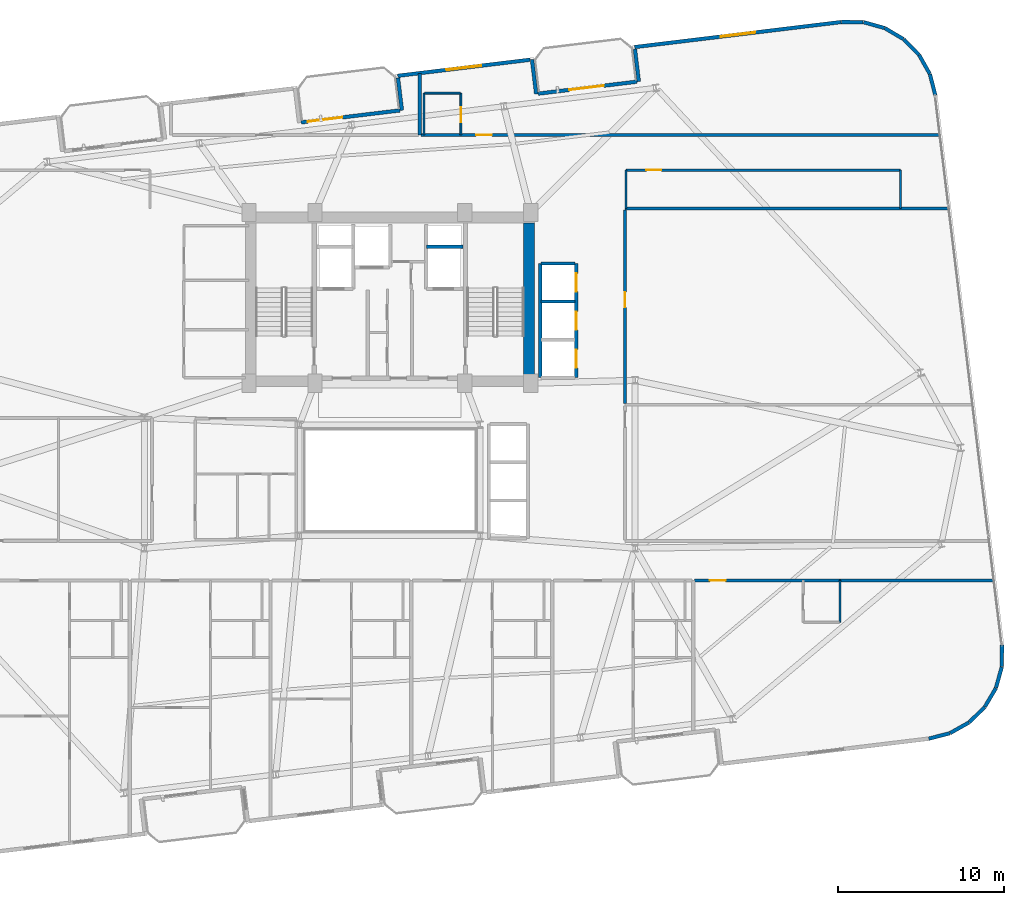
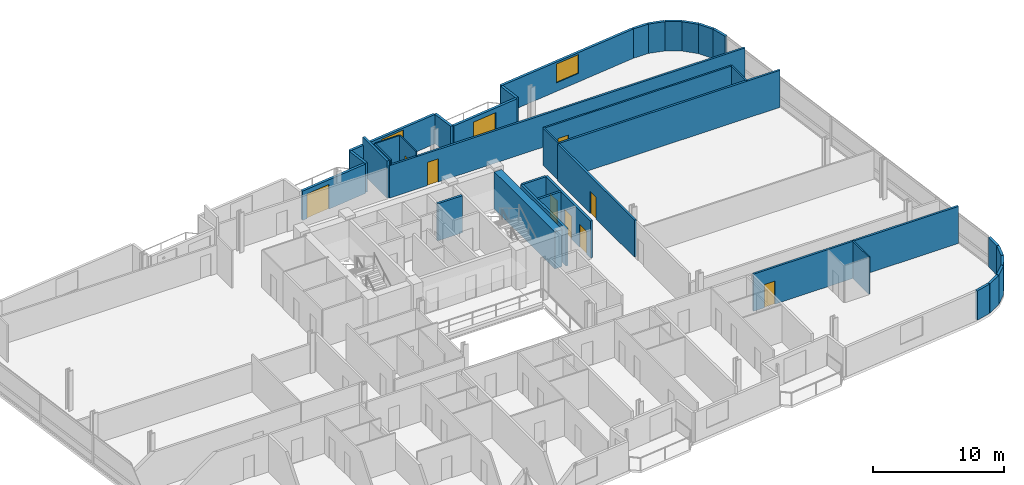
# One storey, part 18 of 23: 37 walls, 10 doors, 2 windows, 12 openings.
"""IFC4 building model written with IfcOpenShell, lengths in metres."""

from ifc_helpers import new_model, si_unit, direction, frame, frame_2d, origin, place, context, subcontext, project, spatial, rectangle, extrude, material, layer, layer_set, type_object, element, fill, save


model = new_model("IFC4")

# Units and contexts
model_context = context("Model", 3, precision=1e-05, world=origin(), true_north=direction((0.0, 1.0)))
body_context = subcontext(model_context, "Body", "Model", "MODEL_VIEW")
ifc_project = project(units=[si_unit("LENGTHUNIT", "METRE"), si_unit("AREAUNIT", "SQUARE_METRE"), si_unit("VOLUMEUNIT", "CUBIC_METRE"), si_unit("PLANEANGLEUNIT", "RADIAN"), si_unit("MASSUNIT", "GRAM", prefix="KILO")], contexts=[model_context])

# Site, building, storey
site_placement = place(None, origin())
site = spatial("IfcSite", under=ifc_project, at=site_placement, CompositionType="ELEMENT")
building_placement = place(site_placement, origin())
building = spatial("IfcBuilding", under=site, at=building_placement, Name="Varnelok Gate Tower", CompositionType="ELEMENT")
storey_placement = place(building_placement, frame((0.0, 0.0, 193.10009765625)))
storey = spatial("IfcBuildingStorey", under=building, at=storey_placement, Name="L49", CompositionType="ELEMENT", Elevation=193.10009765625)

# Wall, opening, door
ifc_material_1 = material(Name="Concrete C45/55", Category="concrete")
ifc_layer_1 = layer(ifc_material_1, 0.219970703125)
ifc_layer_set_1 = layer_set([ifc_layer_1], Name="Concrete C45/55")
wall_type_1 = type_object("IfcWallType", Name="EW-BALC-220", PredefinedType="SOLIDWALL", material=ifc_layer_set_1)
wall_1_placement = place(storey_placement, frame((33.852294921875, 44.48583984375, 0.0), z_axis=(0.0, 0.0, 1.0), x_axis=(0.992729951822, 0.120362962556, 0.0)))
wall_1 = element("IfcWall", 1, at=wall_1_placement, inside=storey, type_object=wall_type_1, Name="L49 North Terrace Envelope Wall 5", PredefinedType="SOLIDWALL", context=body_context, shape_type="SweptSolid", body=[
    extrude(rectangle(XDim=6.0, YDim=0.219970703125, at=frame_2d((3.0, 0.0))), origin(), (0.0, 0.0, 1.0), 2.72998046875),
])
opening_1_placement = place(wall_1_placement, frame((0.39990234375, 0.0, 0.0)))
opening_1 = element("IfcOpeningElement", 2, at=opening_1_placement, cuts=wall_1, Name="Opening BD-2", PredefinedType="OPENING", context=body_context, shape_type="SweptSolid", body=[
    extrude(rectangle(XDim=2.10009765625, YDim=2.300048828125, at=frame_2d((1.050048828125, 1.14990234375))), frame((0.0, 0.119873046875, 0.0), z_axis=(0.0, -1.0, 0.0), x_axis=(1.0, 0.0, 0.0)), (0.0, 0.0, 1.0), 0.239990234375),
])
ifc_material_2 = material(Name="Anodized Aluminum Alloy 6063-T6", Category="aluminium")
door_type_1 = type_object("IfcDoorType", Name="DR-EXT-SLID2100", OperationType="SLIDING_TO_LEFT", PredefinedType="DOOR", material=ifc_material_2)
door_1_placement = place(opening_1_placement, origin())
door_1 = element("IfcDoor", 3, at=door_1_placement, inside=storey, type_object=door_type_1, Name="L49 North Balcony Glazed Door 5", OperationType="SLIDING_TO_LEFT", OverallHeight=2.300048828125, OverallWidth=2.10009765625, PredefinedType="DOOR", context=body_context, shape_type="SweptSolid", body=[
    extrude(rectangle(XDim=2.10009765625, YDim=2.300048828125, at=frame_2d((1.050048828125, 1.14990234375))), frame((0.0, 0.02490234375, 0.0), z_axis=(0.0, -1.0, 0.0), x_axis=(1.0, 0.0, 0.0)), (0.0, 0.0, 1.0), 0.050048828125),
])
fill(opening_1, door_1)

wall_2_placement = place(storey_placement, frame((48.147705078125, 46.21875, 0.0), z_axis=(0.0, 0.0, 1.0), x_axis=(0.992729951822, 0.120362962556, 0.0)))
wall_2 = element("IfcWall", 4, at=wall_2_placement, inside=storey, type_object=wall_type_1, Name="L49 North Terrace Envelope Wall 6", PredefinedType="SOLIDWALL", context=body_context, shape_type="SweptSolid", body=[
    extrude(rectangle(XDim=6.0, YDim=0.219970703125, at=frame_2d((3.0, 0.0))), origin(), (0.0, 0.0, 1.0), 2.72998046875),
])
opening_2_placement = place(wall_2_placement, frame((1.887939453125, 0.0, 0.0)))
opening_2 = element("IfcOpeningElement", 5, at=opening_2_placement, cuts=wall_2, Name="Opening BD-2", PredefinedType="OPENING", context=body_context, shape_type="SweptSolid", body=[
    extrude(rectangle(XDim=2.10009765625, YDim=2.300048828125, at=frame_2d((1.050048828125, 1.14990234375))), frame((0.0, 0.119873046875, 0.0), z_axis=(0.0, -1.0, 0.0), x_axis=(1.0, 0.0, 0.0)), (0.0, 0.0, 1.0), 0.239990234375),
])
door_2_placement = place(opening_2_placement, origin())
door_2 = element("IfcDoor", 6, at=door_2_placement, inside=storey, type_object=door_type_1, Name="L49 North Balcony Glazed Door 6", OperationType="SLIDING_TO_LEFT", OverallHeight=2.300048828125, OverallWidth=2.10009765625, PredefinedType="DOOR", context=body_context, shape_type="SweptSolid", body=[
    extrude(rectangle(XDim=2.10009765625, YDim=2.300048828125, at=frame_2d((1.050048828125, 1.14990234375))), frame((0.0, 0.02490234375, 0.0), z_axis=(0.0, -1.0, 0.0), x_axis=(1.0, 0.0, 0.0)), (0.0, 0.0, 1.0), 0.050048828125),
])
fill(opening_2, door_2)

# Walls
wall_3_placement = place(storey_placement, frame((71.71875, 7.305908203125, 0.0), z_axis=(0.0, 0.0, 1.0), x_axis=(0.968541764193, 0.248851061909, 0.0)))
element("IfcWall", 7, at=wall_3_placement, inside=storey, type_object=wall_type_1, Name="L49 Perimeter Facade Closure Wall 17", PredefinedType="SOLIDWALL", context=body_context, shape_type="SweptSolid", body=[
    extrude(rectangle(XDim=1.308837890625, YDim=0.219970703125, at=frame_2d((0.654296875, 0.0))), origin(), (0.0, 0.0, 1.0), 2.72998046875),
])
for number, where, z_axis, x_axis, name in (
    (8, (73.00830078125, 7.64404296875, 0.0), (0.0, 0.0, 1.0), (0.87105877335, 0.491178799797, 0.0), "L49 Perimeter Facade Closure Wall 18"),
    (9, (74.1591796875, 8.30029296875, 0.0), (0.0, 0.0, 1.0), (0.714295394827, 0.699844331926, 0.0), "L49 Perimeter Facade Closure Wall 19"),
    (10, (75.101318359375, 9.232177734375, 0.0), (0.0, 0.0, 1.0), (0.508798863936, 0.860885425627, 0.0), "L49 Perimeter Facade Closure Wall 20"),
    (11, (75.77001953125, 10.376220703125, 0.0), (0.0, 0.0, 1.0), (0.26859243053, 0.963253915778, 0.0), "L49 Perimeter Facade Closure Wall 21"),
):
    element("IfcWall", number, at=place(storey_placement, frame(where, z_axis=z_axis, x_axis=x_axis)), inside=storey, type_object=wall_type_1, Name=name, PredefinedType="SOLIDWALL", context=body_context, shape_type="SweptSolid", body=[
        extrude(rectangle(XDim=1.30078125, YDim=0.219970703125, at=frame_2d((0.650390625, 0.0))), origin(), (0.0, 0.0, 1.0), 2.72998046875),
    ])
wall_4_placement = place(storey_placement, frame((76.11962890625, 11.654052734375, 0.0), z_axis=(0.0, 0.0, 1.0), x_axis=(0.01032033607, 0.999946743914, 0.0)))
element("IfcWall", 12, at=wall_4_placement, inside=storey, type_object=wall_type_1, Name="L49 Perimeter Facade Closure Wall 22", PredefinedType="SOLIDWALL", context=body_context, shape_type="SweptSolid", body=[
    extrude(rectangle(XDim=1.301025390625, YDim=0.219970703125, at=frame_2d((0.650390625, 0.0))), origin(), (0.0, 0.0, 1.0), 2.72998046875),
])
wall_5_placement = place(storey_placement, frame((72.113525390625, 46.1123046875, 0.0), z_axis=(0.0, 0.0, 1.0), x_axis=(-0.248942347653, 0.968518305219, 0.0)))
element("IfcWall", 13, at=wall_5_placement, inside=storey, type_object=wall_type_1, Name="L49 Perimeter Facade Closure Wall 23", PredefinedType="SOLIDWALL", context=body_context, shape_type="SweptSolid", body=[
    extrude(rectangle(XDim=1.325927734375, YDim=0.219970703125, at=frame_2d((0.6630859375, 0.0))), origin(), (0.0, 0.0, 1.0), 2.72998046875),
])
wall_6_placement = place(storey_placement, frame((71.771240234375, 47.418212890625, 0.0), z_axis=(0.0, 0.0, 1.0), x_axis=(-0.491098509465, 0.871104043155, 0.0)))
element("IfcWall", 14, at=wall_6_placement, inside=storey, type_object=wall_type_1, Name="L49 Perimeter Facade Closure Wall 24", PredefinedType="SOLIDWALL", context=body_context, shape_type="SweptSolid", body=[
    extrude(rectangle(XDim=1.301025390625, YDim=0.219970703125, at=frame_2d((0.650390625, 0.0))), origin(), (0.0, 0.0, 1.0), 2.72998046875),
])
wall_7_placement = place(storey_placement, frame((71.114990234375, 48.5693359375, 0.0), z_axis=(0.0, 0.0, 1.0), x_axis=(-0.699844331926, 0.714295394827, 0.0)))
element("IfcWall", 15, at=wall_7_placement, inside=storey, type_object=wall_type_1, Name="L49 Perimeter Facade Closure Wall 25", PredefinedType="SOLIDWALL", context=body_context, shape_type="SweptSolid", body=[
    extrude(rectangle(XDim=1.30078125, YDim=0.219970703125, at=frame_2d((0.650390625, 0.0))), origin(), (0.0, 0.0, 1.0), 2.72998046875),
])
wall_8_placement = place(storey_placement, frame((70.18310546875, 49.51123046875, 0.0), z_axis=(0.0, 0.0, 1.0), x_axis=(-0.860933999601, 0.508716668029, 0.0)))
element("IfcWall", 16, at=wall_8_placement, inside=storey, type_object=wall_type_1, Name="L49 Perimeter Facade Closure Wall 26", PredefinedType="SOLIDWALL", context=body_context, shape_type="SweptSolid", body=[
    extrude(rectangle(XDim=1.301025390625, YDim=0.219970703125, at=frame_2d((0.650390625, 0.0))), origin(), (0.0, 0.0, 1.0), 2.72998046875),
])
wall_9_placement = place(storey_placement, frame((69.0390625, 50.179931640625, 0.0), z_axis=(0.0, 0.0, 1.0), x_axis=(-0.963205341366, 0.26876657226, 0.0)))
element("IfcWall", 17, at=wall_9_placement, inside=storey, type_object=wall_type_1, Name="L49 Perimeter Facade Closure Wall 27", PredefinedType="SOLIDWALL", context=body_context, shape_type="SweptSolid", body=[
    extrude(rectangle(XDim=1.30078125, YDim=0.219970703125, at=frame_2d((0.650390625, 0.0))), origin(), (0.0, 0.0, 1.0), 2.72998046875),
])
wall_10_placement = place(storey_placement, frame((67.760986328125, 50.52978515625, 0.0), z_axis=(0.0, 0.0, 1.0), x_axis=(-0.999947358106, 0.010260653861, 0.0)))
element("IfcWall", 18, at=wall_10_placement, inside=storey, type_object=wall_type_1, Name="L49 Perimeter Facade Closure Wall 28", PredefinedType="SOLIDWALL", context=body_context, shape_type="SweptSolid", body=[
    extrude(rectangle(XDim=1.30859375, YDim=0.219970703125, at=frame_2d((0.654296875, 0.0))), origin(), (0.0, 0.0, 1.0), 2.72998046875),
])

# Wall, opening, window
wall_11_placement = place(storey_placement, frame((66.427490234375, 50.5400390625, 0.0), z_axis=(0.0, 0.0, 1.0), x_axis=(-0.992731739233, -0.120348219431, 0.0)))
wall_11 = element("IfcWall", 19, at=wall_11_placement, inside=storey, type_object=wall_type_1, Name="L49 Perimeter Facade Closure Wall 29", PredefinedType="SOLIDWALL", context=body_context, shape_type="SweptSolid", body=[
    extrude(rectangle(XDim=12.547119140625, YDim=0.219970703125, at=frame_2d((6.2734375, 0.0))), origin(), (0.0, 0.0, 1.0), 2.72998046875),
])
opening_3_placement = place(wall_11_placement, frame((5.2236328125, 0.0, 0.800048828125)))
opening_3 = element("IfcOpeningElement", 20, at=opening_3_placement, cuts=wall_11, Name="Opening WN4", PredefinedType="OPENING", context=body_context, shape_type="SweptSolid", body=[
    extrude(rectangle(XDim=2.10009765625, YDim=1.75, at=frame_2d((1.050048828125, 0.875))), frame((0.0, 0.119873046875, 0.0), z_axis=(0.0, -1.0, 0.0), x_axis=(1.0, 0.0, 0.0)), (0.0, 0.0, 1.0), 0.239990234375),
])
ifc_material_3 = material(Name="Low-E Laminated Double Glazing IGU", Category="glass")
window_type = type_object("IfcWindowType", Name="WN-SUI-2100", PartitioningType="SINGLE_PANEL", PredefinedType="WINDOW", material=ifc_material_3)
window_1_placement = place(opening_3_placement, origin())
window_1 = element("IfcWindow", 21, at=window_1_placement, inside=storey, type_object=window_type, Name="L49 Perimeter Vision Window 29", OverallHeight=1.75, OverallWidth=2.10009765625, PartitioningType="SINGLE_PANEL", PredefinedType="WINDOW", context=body_context, shape_type="SweptSolid", body=[
    extrude(rectangle(XDim=2.10009765625, YDim=1.75, at=frame_2d((1.050048828125, 0.875))), frame((0.0, 0.030029296875, 0.0), z_axis=(0.0, -1.0, 0.0), x_axis=(1.0, 0.0, 0.0)), (0.0, 0.0, 1.0), 0.06005859375),
])
fill(opening_3, window_1)

# Walls
wall_12_placement = place(storey_placement, frame((53.986572265625, 48.906005859375, 0.0), z_axis=(0.0, 0.0, 1.0), x_axis=(0.120397815541, -0.992725725472, 0.0)))
element("IfcWall", 22, at=wall_12_placement, inside=storey, type_object=wall_type_1, Name="L49 Perimeter Facade Closure Wall 30", PredefinedType="SOLIDWALL", context=body_context, shape_type="SweptSolid", body=[
    extrude(rectangle(XDim=1.97509765625, YDim=0.219970703125, at=frame_2d((0.987548828125, 0.0))), origin(), (0.0, 0.0, 1.0), 2.72998046875),
])
wall_13_placement = place(storey_placement, frame((48.029541015625, 46.1943359375, 0.0), z_axis=(0.0, 0.0, 1.0), x_axis=(-0.120314009587, 0.992735885871, 0.0)))
element("IfcWall", 23, at=wall_13_placement, inside=storey, type_object=wall_type_1, Name="L49 Perimeter Facade Closure Wall 31", PredefinedType="SOLIDWALL", context=body_context, shape_type="SweptSolid", body=[
    extrude(rectangle(XDim=2.10009765625, YDim=0.219970703125, at=frame_2d((1.050048828125, 0.0))), origin(), (0.0, 0.0, 1.0), 2.72998046875),
])

# Wall, opening, window
wall_14_placement = place(storey_placement, frame((47.65283203125, 48.26416015625, 0.0), z_axis=(0.0, 0.0, 1.0), x_axis=(-0.992731032022, -0.120354052946, 0.0)))
wall_14 = element("IfcWall", 24, at=wall_14_placement, inside=storey, type_object=wall_type_1, Name="L49 Perimeter Facade Closure Wall 32", PredefinedType="SOLIDWALL", context=body_context, shape_type="SweptSolid", body=[
    extrude(rectangle(XDim=8.034912109375, YDim=0.219970703125, at=frame_2d((4.017578125, 0.0))), origin(), (0.0, 0.0, 1.0), 2.72998046875),
])
opening_4_placement = place(wall_14_placement, frame((2.967529296875, 0.0, 0.800048828125)))
opening_4 = element("IfcOpeningElement", 25, at=opening_4_placement, cuts=wall_14, Name="Opening WN4", PredefinedType="OPENING", context=body_context, shape_type="SweptSolid", body=[
    extrude(rectangle(XDim=2.10009765625, YDim=1.75, at=frame_2d((1.050048828125, 0.875))), frame((0.0, 0.119873046875, 0.0), z_axis=(0.0, -1.0, 0.0), x_axis=(1.0, 0.0, 0.0)), (0.0, 0.0, 1.0), 0.239990234375),
])
window_2_placement = place(opening_4_placement, origin())
window_2 = element("IfcWindow", 26, at=window_2_placement, inside=storey, type_object=window_type, Name="L49 Perimeter Vision Window 32", OverallHeight=1.75, OverallWidth=2.10009765625, PartitioningType="SINGLE_PANEL", PredefinedType="WINDOW", context=body_context, shape_type="SweptSolid", body=[
    extrude(rectangle(XDim=2.10009765625, YDim=1.75, at=frame_2d((1.050048828125, 0.875))), frame((0.0, 0.030029296875, 0.0), z_axis=(0.0, -1.0, 0.0), x_axis=(1.0, 0.0, 0.0)), (0.0, 0.0, 1.0), 0.06005859375),
])
fill(opening_4, window_2)

# Wall
wall_15_placement = place(storey_placement, frame((39.691162109375, 47.173095703125, 0.0), z_axis=(0.0, 0.0, 1.0), x_axis=(0.120397815541, -0.992725725472, 0.0)))
element("IfcWall", 27, at=wall_15_placement, inside=storey, type_object=wall_type_1, Name="L49 Perimeter Facade Closure Wall 33", PredefinedType="SOLIDWALL", context=body_context, shape_type="SweptSolid", body=[
    extrude(rectangle(XDim=1.97509765625, YDim=0.219970703125, at=frame_2d((0.987548828125, 0.0))), origin(), (0.0, 0.0, 1.0), 2.72998046875),
])

# Wall, opening, door
ifc_material_4 = material(Name="Gypsum Plasterboard Acoustic Partition", Category="gypsum")
ifc_layer_2 = layer(ifc_material_4, 0.179931640625)
ifc_layer_set_2 = layer_set([ifc_layer_2], Name="Gypsum Plasterboard Acoustic Partition")
wall_type_2 = type_object("IfcWallType", Name="PW-CORR-180", PredefinedType="PARTITIONING", material=ifc_layer_set_2)
wall_16_placement = place(storey_placement, frame((57.580078125, 16.85009765625, 0.0), z_axis=(0.0, 0.0, 1.0), x_axis=(1.0, 0.0, 0.0)))
wall_16 = element("IfcWall", 28, at=wall_16_placement, inside=storey, type_object=wall_type_2, Name="Interior Partition", PredefinedType="PARTITIONING", context=body_context, shape_type="SweptSolid", body=[
    extrude(rectangle(XDim=18.021728515625, YDim=0.179931640625, at=frame_2d((9.0107421875, 0.0))), origin(), (0.0, 0.0, 1.0), 3.449951171875),
])
opening_5_placement = place(wall_16_placement, frame((0.9345703125, 0.0, 0.0)))
opening_5 = element("IfcOpeningElement", 29, at=opening_5_placement, cuts=wall_16, Name="Opening D-HT", PredefinedType="OPENING", context=body_context, shape_type="SweptSolid", body=[
    extrude(rectangle(XDim=0.949951171875, YDim=2.14990234375, at=frame_2d((0.47509765625, 1.074951171875))), frame((0.0, 0.099853515625, 0.0), z_axis=(0.0, -1.0, 0.0), x_axis=(1.0, 0.0, 0.0)), (0.0, 0.0, 1.0), 0.199951171875),
])
ifc_material_5 = material(Name="Engineered Hardwood Timber", Category="wood")
door_type_2 = type_object("IfcDoorType", Name="DR-HTL-950", OperationType="NOTDEFINED", PredefinedType="DOOR", material=ifc_material_5)
door_3_placement = place(opening_5_placement, origin())
door_3 = element("IfcDoor", 30, at=door_3_placement, inside=storey, type_object=door_type_2, Name="L49 Guest Room 07 Entrance Door", OperationType="SINGLE_SWING_RIGHT", OverallHeight=2.14990234375, OverallWidth=0.949951171875, PredefinedType="DOOR", context=body_context, shape_type="SweptSolid", body=[
    extrude(rectangle(XDim=0.949951171875, YDim=2.14990234375, at=frame_2d((0.47509765625, 1.074951171875))), frame((0.0, 0.02490234375, 0.0), z_axis=(0.0, -1.0, 0.0), x_axis=(1.0, 0.0, 0.0)), (0.0, 0.0, 1.0), 0.050048828125),
])
fill(opening_5, door_3)

wall_17_placement = place(storey_placement, frame((41.080078125, 43.72998046875, 0.0), z_axis=(0.0, 0.0, 1.0), x_axis=(1.0, 0.0, 0.0)))
wall_17 = element("IfcWall", 31, at=wall_17_placement, inside=storey, type_object=wall_type_2, Name="Interior Partition", PredefinedType="PARTITIONING", context=body_context, shape_type="SweptSolid", body=[
    extrude(rectangle(XDim=31.26318359375, YDim=0.179931640625, at=frame_2d((15.631591796875, 0.0))), origin(), (0.0, 0.0, 1.0), 3.017822265625),
])
opening_6_placement = place(wall_17_placement, frame((3.328857421875, 0.0, 0.0)))
opening_6 = element("IfcOpeningElement", 32, at=opening_6_placement, cuts=wall_17, Name="Opening D-HT", PredefinedType="OPENING", context=body_context, shape_type="SweptSolid", body=[
    extrude(rectangle(XDim=0.949951171875, YDim=2.14990234375, at=frame_2d((0.47509765625, 1.074951171875))), frame((0.0, 0.099853515625, 0.0), z_axis=(0.0, -1.0, 0.0), x_axis=(1.0, 0.0, 0.0)), (0.0, 0.0, 1.0), 0.199951171875),
])
door_4_placement = place(opening_6_placement, origin())
door_4 = element("IfcDoor", 33, at=door_4_placement, inside=storey, type_object=door_type_2, Name="L49 Guest Room 10 Entrance Door", OperationType="SINGLE_SWING_LEFT", OverallHeight=2.14990234375, OverallWidth=0.949951171875, PredefinedType="DOOR", context=body_context, shape_type="SweptSolid", body=[
    extrude(rectangle(XDim=0.949951171875, YDim=2.14990234375, at=frame_2d((0.47509765625, 1.074951171875))), frame((0.0, 0.02490234375, 0.0), z_axis=(0.0, -1.0, 0.0), x_axis=(1.0, 0.0, 0.0)), (0.0, 0.0, 1.0), 0.050048828125),
])
fill(opening_6, door_4)

wall_18_placement = place(storey_placement, frame((53.389892578125, 27.530029296875, 0.0), z_axis=(0.0, 0.0, 1.0), x_axis=(0.0, 1.0, 0.0)))
wall_18 = element("IfcWall", 34, at=wall_18_placement, inside=storey, type_object=wall_type_2, Name="Interior Partition", PredefinedType="PARTITIONING", context=body_context, shape_type="SweptSolid", body=[
    extrude(rectangle(XDim=11.669921875, YDim=0.179931640625, at=frame_2d((5.8349609375, 0.0))), origin(), (0.0, 0.0, 1.0), 3.449951171875),
])
opening_7_placement = place(wall_18_placement, frame((5.800048828125, 0.0, 0.0)))
opening_7 = element("IfcOpeningElement", 35, at=opening_7_placement, cuts=wall_18, Name="Opening D-I3", PredefinedType="OPENING", context=body_context, shape_type="SweptSolid", body=[
    extrude(rectangle(XDim=0.919921875, YDim=2.050048828125, at=frame_2d((0.4599609375, 1.02490234375))), frame((0.0, 0.099853515625, 0.0), z_axis=(0.0, -1.0, 0.0), x_axis=(1.0, 0.0, 0.0)), (0.0, 0.0, 1.0), 0.199951171875),
])
door_type_3 = type_object("IfcDoorType", Name="DR-INT-920", OperationType="NOTDEFINED", PredefinedType="DOOR", material=ifc_material_5)
door_5_placement = place(opening_7_placement, origin())
door_5 = element("IfcDoor", 36, at=door_5_placement, inside=storey, type_object=door_type_3, Name="L49 East Suite 2 Door", OperationType="SINGLE_SWING_RIGHT", OverallHeight=2.050048828125, OverallWidth=0.919921875, PredefinedType="DOOR", context=body_context, shape_type="SweptSolid", body=[
    extrude(rectangle(XDim=0.919921875, YDim=2.050048828125, at=frame_2d((0.4599609375, 1.02490234375))), frame((0.0, 0.02490234375, 0.0), z_axis=(0.0, -1.0, 0.0), x_axis=(1.0, 0.0, 0.0)), (0.0, 0.0, 1.0), 0.050048828125),
])
fill(opening_7, door_5)

# Walls
wall_19_placement = place(storey_placement, frame((53.389892578125, 39.300048828125, 0.0), z_axis=(0.0, 0.0, 1.0), x_axis=(1.0, 0.0, 0.0)))
element("IfcWall", 37, at=wall_19_placement, inside=storey, type_object=wall_type_2, Name="Interior Partition", PredefinedType="PARTITIONING", context=body_context, shape_type="SweptSolid", body=[
    extrude(rectangle(XDim=19.490234375, YDim=0.179931640625, at=frame_2d((9.7451171875, 0.0))), origin(), (0.0, 0.0, 1.0), 3.449951171875),
])
ifc_layer_3 = layer(ifc_material_4, 0.114990234375)
ifc_layer_set_3 = layer_set([ifc_layer_3], Name="Gypsum Plasterboard Acoustic Partition")
wall_type_3 = type_object("IfcWallType", Name="PW-ENS-125", PredefinedType="PARTITIONING", material=ifc_layer_set_3)
wall_20_placement = place(storey_placement, frame((66.360107421875, 14.330078125, 0.0), z_axis=(0.0, 0.0, 1.0), x_axis=(0.0, 1.0, 0.0)))
element("IfcWall", 38, at=wall_20_placement, inside=storey, type_object=wall_type_3, Name="Interior Partition", PredefinedType="PARTITIONING", context=body_context, shape_type="SweptSolid", body=[
    extrude(rectangle(XDim=2.52001953125, YDim=0.114990234375, at=frame_2d((1.260009765625, 0.0))), origin(), (0.0, 0.0, 1.0), 3.449951171875),
])
wall_21_placement = place(storey_placement, frame((41.300048828125, 46.25, 0.0), z_axis=(0.0, 0.0, 1.0), x_axis=(1.0, 0.0, 0.0)))
element("IfcWall", 39, at=wall_21_placement, inside=storey, type_object=wall_type_3, Name="Interior Partition", PredefinedType="PARTITIONING", context=body_context, shape_type="SweptSolid", body=[
    extrude(rectangle(XDim=2.14990234375, YDim=0.114990234375, at=frame_2d((1.074951171875, 0.0))), origin(), (0.0, 0.0, 1.0), 3.449951171875),
])

# Wall, opening, door
wall_22_placement = place(storey_placement, frame((43.489990234375, 43.72998046875, 0.0), z_axis=(0.0, 0.0, 1.0), x_axis=(0.0, 1.0, 0.0)))
wall_22 = element("IfcWall", 40, at=wall_22_placement, inside=storey, type_object=wall_type_3, Name="Interior Partition", PredefinedType="PARTITIONING", context=body_context, shape_type="SweptSolid", body=[
    extrude(rectangle(XDim=2.52001953125, YDim=0.114990234375, at=frame_2d((1.260009765625, 0.0))), origin(), (0.0, 0.0, 1.0), 3.449951171875),
])
opening_8_placement = place(wall_22_placement, frame((0.760009765625, 0.0, 0.0)))
opening_8 = element("IfcOpeningElement", 41, at=opening_8_placement, cuts=wall_22, Name="Opening D-WC", PredefinedType="OPENING", context=body_context, shape_type="SweptSolid", body=[
    extrude(rectangle(XDim=0.89990234375, YDim=2.050048828125, at=frame_2d((0.449951171875, 1.02490234375))), frame((0.0, 0.0673828125, 0.0), z_axis=(0.0, -1.0, 0.0), x_axis=(1.0, 0.0, 0.0)), (0.0, 0.0, 1.0), 0.135009765625),
])
door_type_4 = type_object("IfcDoorType", Name="DR-BATH-900", OperationType="NOTDEFINED", PredefinedType="DOOR", material=ifc_material_5)
door_6_placement = place(opening_8_placement, origin())
door_6 = element("IfcDoor", 42, at=door_6_placement, inside=storey, type_object=door_type_4, Name="L49 North En-Suite 10 Door", OperationType="SINGLE_SWING_RIGHT", OverallHeight=2.050048828125, OverallWidth=0.89990234375, PredefinedType="DOOR", context=body_context, shape_type="SweptSolid", body=[
    extrude(rectangle(XDim=0.89990234375, YDim=2.050048828125, at=frame_2d((0.449951171875, 1.02490234375))), frame((0.0, 0.02490234375, 0.0), z_axis=(0.0, -1.0, 0.0), x_axis=(1.0, 0.0, 0.0)), (0.0, 0.0, 1.0), 0.050048828125),
])
fill(opening_8, door_6)

# Walls
wall_23_placement = place(storey_placement, frame((41.260009765625, 43.72998046875, 0.0), z_axis=(0.0, 0.0, 1.0), x_axis=(0.0, 1.0, 0.0)))
element("IfcWall", 43, at=wall_23_placement, inside=storey, type_object=wall_type_3, Name="Interior Partition", PredefinedType="PARTITIONING", context=body_context, shape_type="SweptSolid", body=[
    extrude(rectangle(XDim=2.52001953125, YDim=0.114990234375, at=frame_2d((1.260009765625, 0.0))), origin(), (0.0, 0.0, 1.0), 3.449951171875),
])
ifc_layer_4 = layer(ifc_material_4, 0.125)
ifc_layer_set_4 = layer_set([ifc_layer_4], Name="Gypsum Plasterboard Acoustic Partition")
wall_type_4 = type_object("IfcWallType", Name="PW-PART-125", PredefinedType="PARTITIONING", material=ifc_layer_set_4)
for number, where, z_axis, x_axis, name in (
    (44, (53.449951171875, 39.300048828125, 0.0), (0.0, 0.0, 1.0), (0.0, 1.0, 0.0), "Interior Partition"),
    (45, (70.0, 39.300048828125, 0.0), (0.0, 0.0, 1.0), (0.0, 1.0, 0.0), "Interior Partition"),
):
    element("IfcWall", number, at=place(storey_placement, frame(where, z_axis=z_axis, x_axis=x_axis)), inside=storey, type_object=wall_type_4, Name=name, PredefinedType="PARTITIONING", context=body_context, shape_type="SweptSolid", body=[
        extrude(rectangle(XDim=2.31005859375, YDim=0.125, at=frame_2d((1.155029296875, 0.0))), origin(), (0.0, 0.0, 1.0), 3.449951171875),
    ])

# Wall, opening, door
ifc_layer_5 = layer(ifc_material_4, 0.14990234375)
ifc_layer_set_5 = layer_set([ifc_layer_5], Name="Gypsum Plasterboard Acoustic Partition")
wall_type_5 = type_object("IfcWallType", Name="PW-PART-150", PredefinedType="PARTITIONING", material=ifc_layer_set_5)
wall_24_placement = place(storey_placement, frame((53.449951171875, 41.610107421875, 0.0), z_axis=(0.0, 0.0, 1.0), x_axis=(1.0, 0.0, 0.0)))
wall_24 = element("IfcWall", 46, at=wall_24_placement, inside=storey, type_object=wall_type_5, Name="Interior Partition", PredefinedType="PARTITIONING", context=body_context, shape_type="SweptSolid", body=[
    extrude(rectangle(XDim=16.550048828125, YDim=0.14990234375, at=frame_2d((8.27490234375, 0.0))), origin(), (0.0, 0.0, 1.0), 3.449951171875),
])
opening_9_placement = place(wall_24_placement, frame((1.219970703125, 0.0, 0.0)))
opening_9 = element("IfcOpeningElement", 47, at=opening_9_placement, cuts=wall_24, Name="Opening D-I3", PredefinedType="OPENING", context=body_context, shape_type="SweptSolid", body=[
    extrude(rectangle(XDim=0.919921875, YDim=2.050048828125, at=frame_2d((0.4599609375, 1.02490234375))), frame((0.0, 0.0849609375, 0.0), z_axis=(0.0, -1.0, 0.0), x_axis=(1.0, 0.0, 0.0)), (0.0, 0.0, 1.0), 0.169921875),
])
door_7_placement = place(opening_9_placement, origin())
door_7 = element("IfcDoor", 48, at=door_7_placement, inside=storey, type_object=door_type_3, Name="L49 North Study 2 Door", OperationType="SINGLE_SWING_RIGHT", OverallHeight=2.050048828125, OverallWidth=0.919921875, PredefinedType="DOOR", context=body_context, shape_type="SweptSolid", body=[
    extrude(rectangle(XDim=0.919921875, YDim=2.050048828125, at=frame_2d((0.4599609375, 1.02490234375))), frame((0.0, 0.02490234375, 0.0), z_axis=(0.0, -1.0, 0.0), x_axis=(1.0, 0.0, 0.0)), (0.0, 0.0, 1.0), 0.050048828125),
])
fill(opening_9, door_7)

# Walls
ifc_layer_6 = layer(ifc_material_4, 0.205078125)
ifc_layer_set_6 = layer_set([ifc_layer_6], Name="Gypsum Plasterboard Acoustic Partition")
wall_type_6 = type_object("IfcWallType", Name="PW-PARTY-200", PredefinedType="PARTITIONING", material=ifc_layer_set_6)
wall_25_placement = place(storey_placement, frame((41.0, 43.72998046875, 0.0), z_axis=(0.0, 0.0, 1.0), x_axis=(0.0, 1.0, 0.0)))
element("IfcWall", 49, at=wall_25_placement, inside=storey, type_object=wall_type_6, Name="L49 North Party Wall 2", PredefinedType="PARTITIONING", context=body_context, shape_type="SweptSolid", body=[
    extrude(rectangle(XDim=3.70751953125, YDim=0.205078125, at=frame_2d((1.853759765625, 0.0))), origin(), (0.0, 0.0, 1.0), 3.449951171875),
])
ifc_material_6 = material(Name="Concrete C35/45", Category="concrete")
ifc_layer_7 = layer(ifc_material_6, 0.199951171875)
ifc_layer_set_7 = layer_set([ifc_layer_7], Name="Concrete C35/45")
wall_type_7 = type_object("IfcWallType", Name="PW-SHAFT-200", PredefinedType="PARTITIONING", material=ifc_layer_set_7)
wall_26_placement = place(storey_placement, frame((41.419921875, 36.97998046875, 0.0), z_axis=(0.0, 0.0, 1.0), x_axis=(1.0, 0.0, 0.0)))
element("IfcWall", 50, at=wall_26_placement, inside=storey, type_object=wall_type_7, Name="L49 FF2 Shaft North Wall", PredefinedType="PARTITIONING", context=body_context, shape_type="SweptSolid", body=[
    extrude(rectangle(XDim=2.18017578125, YDim=0.199951171875, at=frame_2d((1.090087890625, 0.0))), origin(), (0.0, 0.0, 1.0), 3.449951171875),
])
for number, where, z_axis, x_axis, name in (
    (51, (48.320068359375, 33.675048828125, 0.0), (0.0, 0.0, 1.0), (1.0, 0.0, 0.0), "L49 PM2 Divider"),
    (52, (48.320068359375, 35.969970703125, 0.0), (0.0, 0.0, 1.0), (1.0, 0.0, 0.0), "L49 PM Bank North Wall"),
):
    element("IfcWall", number, at=place(storey_placement, frame(where, z_axis=z_axis, x_axis=x_axis)), inside=storey, type_object=wall_type_7, Name=name, PredefinedType="PARTITIONING", context=body_context, shape_type="SweptSolid", body=[
        extrude(rectangle(XDim=2.059814453125, YDim=0.199951171875, at=frame_2d((1.02978515625, 0.0))), origin(), (0.0, 0.0, 1.0), 3.449951171875),
    ])
wall_27_placement = place(storey_placement, frame((48.280029296875, 29.080078125, 0.0), z_axis=(0.0, 0.0, 1.0), x_axis=(0.0, 1.0, 0.0)))
element("IfcWall", 53, at=wall_27_placement, inside=storey, type_object=wall_type_7, Name="L49 PM Bank Back Wall", PredefinedType="PARTITIONING", context=body_context, shape_type="SweptSolid", body=[
    extrude(rectangle(XDim=6.889892578125, YDim=0.199951171875, at=frame_2d((3.44482421875, 0.0))), origin(), (0.0, 0.0, 1.0), 3.449951171875),
])

# Wall, openings, doors
wall_28_placement = place(storey_placement, frame((50.43994140625, 29.080078125, 0.0), z_axis=(0.0, 0.0, 1.0), x_axis=(0.0, 1.0, 0.0)))
wall_28 = element("IfcWall", 54, at=wall_28_placement, inside=storey, type_object=wall_type_7, Name="L49 PM Bank Front Wall", PredefinedType="PARTITIONING", context=body_context, shape_type="SweptSolid", body=[
    extrude(rectangle(XDim=6.889892578125, YDim=0.199951171875, at=frame_2d((3.44482421875, 0.0))), origin(), (0.0, 0.0, 1.0), 3.449951171875),
])
opening_10_placement = place(wall_28_placement, frame((0.590087890625, 0.0, 0.0)))
opening_10 = element("IfcOpeningElement", 55, at=opening_10_placement, cuts=wall_28, Name="Opening LD-PM1", PredefinedType="OPENING", context=body_context, shape_type="SweptSolid", body=[
    extrude(rectangle(XDim=1.10009765625, YDim=2.14990234375, at=frame_2d((0.550048828125, 1.074951171875))), frame((0.0, 0.10986328125, 0.0), z_axis=(0.0, -1.0, 0.0), x_axis=(1.0, 0.0, 0.0)), (0.0, 0.0, 1.0), 0.219970703125),
])
opening_11_placement = place(wall_28_placement, frame((2.889892578125, 0.0, 0.0)))
opening_11 = element("IfcOpeningElement", 56, at=opening_11_placement, cuts=wall_28, Name="Opening LD-PM2", PredefinedType="OPENING", context=body_context, shape_type="SweptSolid", body=[
    extrude(rectangle(XDim=1.10009765625, YDim=2.14990234375, at=frame_2d((0.550048828125, 1.074951171875))), frame((0.0, 0.10986328125, 0.0), z_axis=(0.0, -1.0, 0.0), x_axis=(1.0, 0.0, 0.0)), (0.0, 0.0, 1.0), 0.219970703125),
])
opening_12_placement = place(wall_28_placement, frame((5.18994140625, 0.0, 0.0)))
opening_12 = element("IfcOpeningElement", 57, at=opening_12_placement, cuts=wall_28, Name="Opening LD-PM3", PredefinedType="OPENING", context=body_context, shape_type="SweptSolid", body=[
    extrude(rectangle(XDim=1.10009765625, YDim=2.14990234375, at=frame_2d((0.550048828125, 1.074951171875))), frame((0.0, 0.10986328125, 0.0), z_axis=(0.0, -1.0, 0.0), x_axis=(1.0, 0.0, 0.0)), (0.0, 0.0, 1.0), 0.219970703125),
])
ifc_material_7 = material(Name="Galvanized Steel Grade S350GD", Category="steel")
door_type_5 = type_object("IfcDoorType", Name="DR-LIFT-PAX1100", OperationType="SLIDING_TO_LEFT", PredefinedType="DOOR", material=ifc_material_7)
door_8_placement = place(opening_10_placement, origin())
door_8 = element("IfcDoor", 58, at=door_8_placement, inside=storey, type_object=door_type_5, Name="L49 Passenger Lift Landing Door LD-PM1", OperationType="SLIDING_TO_LEFT", OverallHeight=2.14990234375, OverallWidth=1.10009765625, PredefinedType="DOOR", context=body_context, shape_type="SweptSolid", body=[
    extrude(rectangle(XDim=1.10009765625, YDim=2.14990234375, at=frame_2d((0.550048828125, 1.074951171875))), frame((0.0, 0.02490234375, 0.0), z_axis=(0.0, -1.0, 0.0), x_axis=(1.0, 0.0, 0.0)), (0.0, 0.0, 1.0), 0.050048828125),
])
fill(opening_10, door_8)
door_9_placement = place(opening_11_placement, origin())
door_9 = element("IfcDoor", 59, at=door_9_placement, inside=storey, type_object=door_type_5, Name="L49 Passenger Lift Landing Door LD-PM2", OperationType="SLIDING_TO_LEFT", OverallHeight=2.14990234375, OverallWidth=1.10009765625, PredefinedType="DOOR", context=body_context, shape_type="SweptSolid", body=[
    extrude(rectangle(XDim=1.10009765625, YDim=2.14990234375, at=frame_2d((0.550048828125, 1.074951171875))), frame((0.0, 0.02490234375, 0.0), z_axis=(0.0, -1.0, 0.0), x_axis=(1.0, 0.0, 0.0)), (0.0, 0.0, 1.0), 0.050048828125),
])
fill(opening_11, door_9)
door_10_placement = place(opening_12_placement, origin())
door_10 = element("IfcDoor", 60, at=door_10_placement, inside=storey, type_object=door_type_5, Name="L49 Passenger Lift Landing Door LD-PM3", OperationType="SLIDING_TO_LEFT", OverallHeight=2.14990234375, OverallWidth=1.10009765625, PredefinedType="DOOR", context=body_context, shape_type="SweptSolid", body=[
    extrude(rectangle(XDim=1.10009765625, YDim=2.14990234375, at=frame_2d((0.550048828125, 1.074951171875))), frame((0.0, 0.02490234375, 0.0), z_axis=(0.0, -1.0, 0.0), x_axis=(1.0, 0.0, 0.0)), (0.0, 0.0, 1.0), 0.050048828125),
])
fill(opening_12, door_10)

# Wall
ifc_material_8 = material(Name="Concrete C60/75", Category="concrete")
ifc_layer_8 = layer(ifc_material_8, 0.64990234375)
ifc_layer_set_8 = layer_set([ifc_layer_8], Name="Concrete C60/75")
wall_type_8 = type_object("IfcWallType", Name="SW-CORE-650", PredefinedType="SHEAR", material=ifc_layer_set_8)
wall_29_placement = place(storey_placement, frame((47.594970703125, 29.199951171875, 0.0), z_axis=(0.0, 0.0, 1.0), x_axis=(0.0, 1.0, 0.0)))
element("IfcWall", 61, at=wall_29_placement, inside=storey, type_object=wall_type_8, Name="L49 Rear Core East Shear Wall", PredefinedType="SHEAR", context=body_context, shape_type="SweptSolid", body=[
    extrude(rectangle(XDim=9.219970703125, YDim=0.64990234375, at=frame_2d((4.60986328125, 0.0))), origin(), (0.0, 0.0, 1.0), 3.449951171875),
])

save(model, "model.ifc")
